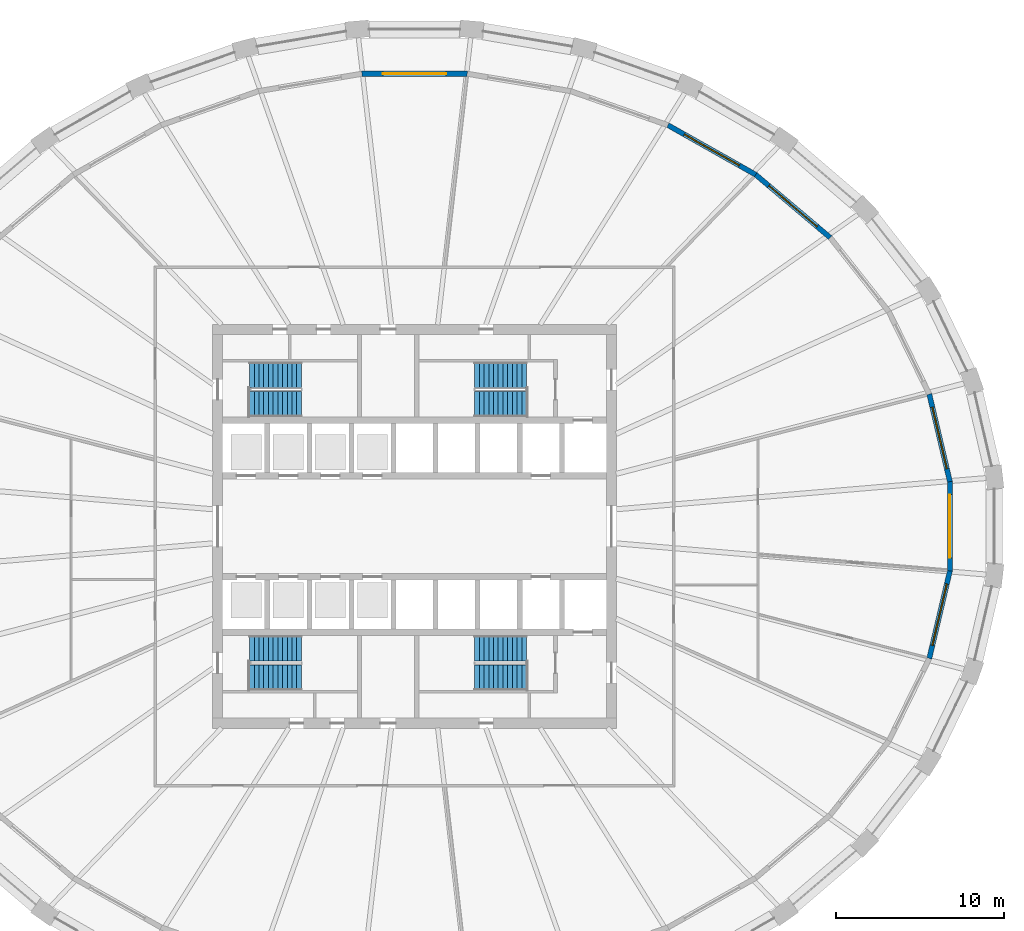
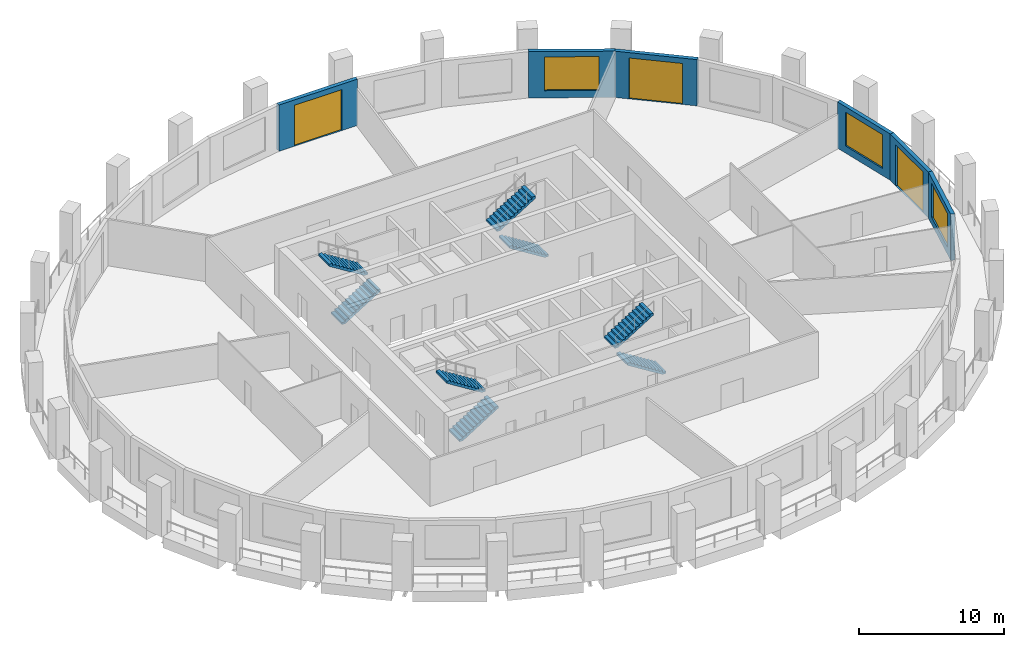
# One storey, part 7 of 10: 8 stair flights, 6 walls, 3 doors, 3 windows, 6 openings, 4 elements without a shape of their own.
"""IFC4 building model written with IfcOpenShell, lengths in metres."""

from ifc_helpers import new_model, si_unit, direction, frame, frame_2d, origin, place, context, subcontext, project, spatial, polyline, rectangle, outline, extrude, material, layer, layer_set, type_object, element, fill, aggregate, save


model = new_model("IFC4")

# Units and contexts
model_context = context("Model", 3, precision=1e-05, world=origin(), true_north=direction((0.0, 1.0)))
body_context = subcontext(model_context, "Body", "Model", "MODEL_VIEW")
ifc_project = project(units=[si_unit("LENGTHUNIT", "METRE"), si_unit("AREAUNIT", "SQUARE_METRE"), si_unit("VOLUMEUNIT", "CUBIC_METRE"), si_unit("PLANEANGLEUNIT", "RADIAN"), si_unit("MASSUNIT", "GRAM", prefix="KILO")], contexts=[model_context])

# Site, building, storey
site_placement = place(None, origin())
site = spatial("IfcSite", under=ifc_project, at=site_placement, CompositionType="ELEMENT")
building_placement = place(site_placement, origin())
building = spatial("IfcBuilding", under=site, at=building_placement, Name="Halqa Exchange Tower", CompositionType="ELEMENT")
storey_placement = place(building_placement, frame((0.0, 0.0, 129.699951171875)))
storey = spatial("IfcBuildingStorey", under=building, at=storey_placement, Name="L29", CompositionType="ELEMENT", Elevation=129.699951171875)

# Wall, opening, window
ifc_material_1 = material(Name="Limestone cladding", Category="masonry")
ifc_layer_1 = layer(ifc_material_1, 0.0400390625)
ifc_material_2 = material(Name="Ventilated cavity")
ifc_layer_2 = layer(ifc_material_2, 0.030029296875, ventilated=True)
ifc_material_3 = material(Name="Mineral wool insulation")
ifc_layer_3 = layer(ifc_material_3, 0.10009765625)
ifc_material_4 = material(Name="Concrete C30/37", Category="concrete")
ifc_layer_4 = layer(ifc_material_4, 0.10009765625)
ifc_material_5 = material(Name="Internal plaster")
ifc_layer_5 = layer(ifc_material_5, 0.030029296875)
ifc_layer_set = layer_set([ifc_layer_1, ifc_layer_2, ifc_layer_3, ifc_layer_4, ifc_layer_5], Name="Stone-faced insulated wall 300")
wall_type = type_object("IfcWallType", Name="Stone-faced insulated wall 300", PredefinedType="STANDARD", material=ifc_layer_set)
wall_1_placement = place(storey_placement, frame((31.802001953125, 2.650390625, 0.0), z_axis=(0.0, 0.0, 1.0), x_axis=(-0.229227895667, 0.973372781543, 0.0)))
wall_1 = element("IfcWall", 1, at=wall_1_placement, inside=storey, type_object=wall_type, Name="Glass-line wall 1", PredefinedType="STANDARD", context=body_context, shape_type="SweptSolid", body=[
    extrude(outline(polyline([(-0.017333984375, -0.14990234375), (5.35693359375, -0.14990234375), (5.3232421875, 0.14990234375), (0.017333984375, 0.14990234375), (-0.017333984375, -0.14990234375)])), origin(), (0.0, 0.0, 1.0), 3.900146484375),
])
opening_1_placement = place(wall_1_placement, frame((0.795166015625, 0.0, 0.60009765625)))
opening_1 = element("IfcOpeningElement", 2, at=opening_1_placement, cuts=wall_1, Name="Opening W-F2-01", PredefinedType="OPENING", context=body_context, shape_type="SweptSolid", body=[
    extrude(rectangle(XDim=3.75, YDim=2.85009765625, at=frame_2d((1.875, 1.425048828125))), frame((0.0, 0.162109375, 0.0), z_axis=(0.0, -1.0, 0.0), x_axis=(1.0, 0.0, 0.0)), (0.0, 0.0, 1.0), 0.323974609375),
])
ifc_material_6 = material(Name="Clear low-emissivity glass in aluminium frame", Category="aluminium")
window_type = type_object("IfcWindowType", Name="Fixed clear glazed window 3750 x 2850", PartitioningType="TRIPLE_PANEL_VERTICAL", PredefinedType="WINDOW", material=ifc_material_6)
window_1_placement = place(opening_1_placement, origin())
window_1 = element("IfcWindow", 3, at=window_1_placement, inside=storey, type_object=window_type, Name="Window 2", OverallHeight=2.85009765625, OverallWidth=3.75, PartitioningType="TRIPLE_PANEL_VERTICAL", PredefinedType="WINDOW", context=body_context, shape_type="SweptSolid", body=[
    extrude(rectangle(XDim=3.75, YDim=2.85009765625, at=frame_2d((1.875, 1.425048828125))), frame((0.0, 0.030029296875, 0.0), z_axis=(0.0, -1.0, 0.0), x_axis=(1.0, 0.0, 0.0)), (0.0, 0.0, 1.0), 0.06005859375),
])
fill(opening_1, window_1)

# Wall, opening, door
wall_2_placement = place(storey_placement, frame((24.694091796875, 17.145751953125, 0.0), z_axis=(0.0, 0.0, 1.0), x_axis=(-0.763963973896, 0.645258898884, 0.0)))
wall_2 = element("IfcWall", 4, at=wall_2_placement, inside=storey, type_object=wall_type, Name="Glass-line wall 4", PredefinedType="STANDARD", context=body_context, shape_type="SweptSolid", body=[
    extrude(outline(polyline([(-0.01513671875, -0.14990234375), (5.81396484375, -0.14990234375), (5.78564453125, 0.14990234375), (0.01513671875, 0.14990234375), (-0.01513671875, -0.14990234375)])), origin(), (0.0, 0.0, 1.0), 3.900146484375),
])
opening_2_placement = place(wall_2_placement, frame((1.02490234375, 0.0, 0.0)))
opening_2 = element("IfcOpeningElement", 5, at=opening_2_placement, cuts=wall_2, Name="Opening LG-F2-01", PredefinedType="OPENING", context=body_context, shape_type="SweptSolid", body=[
    extrude(rectangle(XDim=3.75, YDim=3.449951171875, at=frame_2d((1.875, 1.72509765625))), frame((0.0, 0.162109375, 0.0), z_axis=(0.0, -1.0, 0.0), x_axis=(1.0, 0.0, 0.0)), (0.0, 0.0, 1.0), 0.323974609375),
])
door_type = type_object("IfcDoorType", Name="Glazed sliding loggia door 3750 x 3450", OperationType="DOUBLE_DOOR_SLIDING", PredefinedType="DOOR", material=ifc_material_6)
door_1_placement = place(opening_2_placement, origin())
door_1 = element("IfcDoor", 6, at=door_1_placement, inside=storey, type_object=door_type, Name="Loggia door 1", OperationType="DOUBLE_DOOR_SLIDING", OverallHeight=3.449951171875, OverallWidth=3.75, PredefinedType="DOOR", context=body_context, shape_type="SweptSolid", body=[
    extrude(rectangle(XDim=3.75, YDim=3.449951171875, at=frame_2d((1.875, 1.72509765625))), frame((0.0, 0.02490234375, 0.0), z_axis=(0.0, -1.0, 0.0), x_axis=(1.0, 0.0, 0.0)), (0.0, 0.0, 1.0), 0.050048828125),
])
fill(opening_2, door_1)

# Wall, opening, window
wall_3_placement = place(storey_placement, frame((20.26318359375, 20.88818359375, 0.0), z_axis=(0.0, 0.0, 1.0), x_axis=(-0.87090857883, 0.491445060327, 0.0)))
wall_3 = element("IfcWall", 7, at=wall_3_placement, inside=storey, type_object=wall_type, Name="Glass-line wall 5", PredefinedType="STANDARD", context=body_context, shape_type="SweptSolid", body=[
    extrude(outline(polyline([(-0.01416015625, -0.14990234375), (5.99365234375, -0.14990234375), (5.966796875, 0.14990234375), (0.01416015625, 0.14990234375), (-0.01416015625, -0.14990234375)])), origin(), (0.0, 0.0, 1.0), 3.900146484375),
])
opening_3_placement = place(wall_3_placement, frame((1.114990234375, 0.0, 0.60009765625)))
opening_3 = element("IfcOpeningElement", 8, at=opening_3_placement, cuts=wall_3, Name="Opening W-F2-05", PredefinedType="OPENING", context=body_context, shape_type="SweptSolid", body=[
    extrude(rectangle(XDim=3.75, YDim=2.85009765625, at=frame_2d((1.875, 1.425048828125))), frame((0.0, 0.162109375, 0.0), z_axis=(0.0, -1.0, 0.0), x_axis=(1.0, 0.0, 0.0)), (0.0, 0.0, 1.0), 0.323974609375),
])
window_2_placement = place(opening_3_placement, origin())
window_2 = element("IfcWindow", 9, at=window_2_placement, inside=storey, type_object=window_type, Name="Window 2", OverallHeight=2.85009765625, OverallWidth=3.75, PartitioningType="TRIPLE_PANEL_VERTICAL", PredefinedType="WINDOW", context=body_context, shape_type="SweptSolid", body=[
    extrude(rectangle(XDim=3.75, YDim=2.85009765625, at=frame_2d((1.875, 1.425048828125))), frame((0.0, 0.030029296875, 0.0), z_axis=(0.0, -1.0, 0.0), x_axis=(1.0, 0.0, 0.0)), (0.0, 0.0, 1.0), 0.06005859375),
])
fill(opening_3, window_2)

# Wall, opening, door
wall_4_placement = place(storey_placement, frame((3.1298828125, 26.88232421875, 0.0), z_axis=(0.0, 0.0, 1.0), x_axis=(-1.0, 0.0, 0.0)))
wall_4 = element("IfcWall", 10, at=wall_4_placement, inside=storey, type_object=wall_type, Name="Glass-line wall 8", PredefinedType="STANDARD", context=body_context, shape_type="SweptSolid", body=[
    extrude(outline(polyline([(-0.012451171875, -0.14990234375), (6.272216796875, -0.14990234375), (6.247314453125, 0.14990234375), (0.012451171875, 0.14990234375), (-0.012451171875, -0.14990234375)])), origin(), (0.0, 0.0, 1.0), 3.900146484375),
])
opening_4_placement = place(wall_4_placement, frame((1.2548828125, 0.0, 0.0)))
opening_4 = element("IfcOpeningElement", 11, at=opening_4_placement, cuts=wall_4, Name="Opening LG-F2-02", PredefinedType="OPENING", context=body_context, shape_type="SweptSolid", body=[
    extrude(rectangle(XDim=3.75, YDim=3.449951171875, at=frame_2d((1.875, 1.72509765625))), frame((0.0, 0.162109375, 0.0), z_axis=(0.0, -1.0, 0.0), x_axis=(1.0, 0.0, 0.0)), (0.0, 0.0, 1.0), 0.323974609375),
])
door_2_placement = place(opening_4_placement, origin())
door_2 = element("IfcDoor", 12, at=door_2_placement, inside=storey, type_object=door_type, Name="Loggia door 2", OperationType="DOUBLE_DOOR_SLIDING", OverallHeight=3.449951171875, OverallWidth=3.75, PredefinedType="DOOR", context=body_context, shape_type="SweptSolid", body=[
    extrude(rectangle(XDim=3.75, YDim=3.449951171875, at=frame_2d((1.875, 1.72509765625))), frame((0.0, 0.02490234375, 0.0), z_axis=(0.0, -1.0, 0.0), x_axis=(1.0, 0.0, 0.0)), (0.0, 0.0, 1.0), 0.050048828125),
])
fill(opening_4, door_2)

# Wall, opening, window
wall_5_placement = place(storey_placement, frame((30.577880859375, -7.848388671875, 0.0), z_axis=(0.0, 0.0, 1.0), x_axis=(0.229227895667, 0.973372781543, 0.0)))
wall_5 = element("IfcWall", 13, at=wall_5_placement, inside=storey, type_object=wall_type, Name="Glass-line wall 31", PredefinedType="STANDARD", context=body_context, shape_type="SweptSolid", body=[
    extrude(outline(polyline([(-0.016845703125, -0.14990234375), (5.357421875, -0.14990234375), (5.32275390625, 0.14990234375), (0.016845703125, 0.14990234375), (-0.016845703125, -0.14990234375)])), origin(), (0.0, 0.0, 1.0), 3.900146484375),
])
opening_5_placement = place(wall_5_placement, frame((0.795166015625, 0.0, 0.60009765625)))
opening_5 = element("IfcOpeningElement", 14, at=opening_5_placement, cuts=wall_5, Name="Opening W-F2-31", PredefinedType="OPENING", context=body_context, shape_type="SweptSolid", body=[
    extrude(rectangle(XDim=3.75, YDim=2.85009765625, at=frame_2d((1.875, 1.425048828125))), frame((0.0, 0.162109375, 0.0), z_axis=(0.0, -1.0, 0.0), x_axis=(1.0, 0.0, 0.0)), (0.0, 0.0, 1.0), 0.323974609375),
])
window_3_placement = place(opening_5_placement, origin())
window_3 = element("IfcWindow", 15, at=window_3_placement, inside=storey, type_object=window_type, Name="Window 2", OverallHeight=2.85009765625, OverallWidth=3.75, PartitioningType="TRIPLE_PANEL_VERTICAL", PredefinedType="WINDOW", context=body_context, shape_type="SweptSolid", body=[
    extrude(rectangle(XDim=3.75, YDim=2.85009765625, at=frame_2d((1.875, 1.425048828125))), frame((0.0, 0.030029296875, 0.0), z_axis=(0.0, -1.0, 0.0), x_axis=(1.0, 0.0, 0.0)), (0.0, 0.0, 1.0), 0.06005859375),
])
fill(opening_5, window_3)

# Wall, opening, door
wall_6_placement = place(storey_placement, frame((31.802001953125, -2.650390625, 0.0), z_axis=(0.0, 0.0, 1.0), x_axis=(0.0, 1.0, 0.0)))
wall_6 = element("IfcWall", 16, at=wall_6_placement, inside=storey, type_object=wall_type, Name="Glass-line wall 32", PredefinedType="STANDARD", context=body_context, shape_type="SweptSolid", body=[
    extrude(outline(polyline([(-0.017333984375, -0.14990234375), (5.318115234375, -0.14990234375), (5.283447265625, 0.14990234375), (0.017333984375, 0.14990234375), (-0.017333984375, -0.14990234375)])), origin(), (0.0, 0.0, 1.0), 3.900146484375),
])
opening_6_placement = place(wall_6_placement, frame((0.775390625, 0.0, 0.0)))
opening_6 = element("IfcOpeningElement", 17, at=opening_6_placement, cuts=wall_6, Name="Opening LG-F2-08", PredefinedType="OPENING", context=body_context, shape_type="SweptSolid", body=[
    extrude(rectangle(XDim=3.75, YDim=3.449951171875, at=frame_2d((1.875, 1.72509765625))), frame((0.0, 0.162109375, 0.0), z_axis=(0.0, -1.0, 0.0), x_axis=(1.0, 0.0, 0.0)), (0.0, 0.0, 1.0), 0.323974609375),
])
door_3_placement = place(opening_6_placement, origin())
door_3 = element("IfcDoor", 18, at=door_3_placement, inside=storey, type_object=door_type, Name="Loggia door 8", OperationType="DOUBLE_DOOR_SLIDING", OverallHeight=3.449951171875, OverallWidth=3.75, PredefinedType="DOOR", context=body_context, shape_type="SweptSolid", body=[
    extrude(rectangle(XDim=3.75, YDim=3.449951171875, at=frame_2d((1.875, 1.72509765625))), frame((0.0, 0.02490234375, 0.0), z_axis=(0.0, -1.0, 0.0), x_axis=(1.0, 0.0, 0.0)), (0.0, 0.0, 1.0), 0.050048828125),
])
fill(opening_6, door_3)

# Stair, stair flights
stair_type = type_object("IfcStairType", Name="Exit stair 1500 wide", PredefinedType="HALF_TURN_STAIR", material=ifc_material_4)
stair_1_placement = place(storey_placement, origin())
stair_1 = element("IfcStair", 19, at=stair_1_placement, inside=storey, type_object=stair_type, Name="Exit stair ST1", PredefinedType="HALF_TURN_STAIR")
stair_flight_type = type_object("IfcStairFlightType", Name="Stair flight 1500 wide", PredefinedType="STRAIGHT", material=ifc_material_4)
stair_flight_1_placement = place(storey_placement, frame((-9.800048828125, 7.25, 0.0), z_axis=(0.0, 0.0, 1.0), x_axis=(1.0, 0.0, 0.0)))
stair_flight_1 = element("IfcStairFlight", 20, at=stair_flight_1_placement, type_object=stair_flight_type, Name="ST1 flight 1", NumberOfRisers=12, NumberOfTreads=11, PredefinedType="STRAIGHT", RiserHeight=0.175, TreadLength=0.28, context=body_context, shape_type="SweptSolid", body=[
    extrude(outline(polyline([(0.0, 0.0), (0.0, 0.175048828125), (0.280029296875, 0.175048828125), (0.280029296875, 0.35009765625), (0.56005859375, 0.35009765625), (0.56005859375, 0.52490234375), (0.840087890625, 0.52490234375), (0.840087890625, 0.699951171875), (1.1201171875, 0.699951171875), (1.1201171875, 0.875), (1.39990234375, 0.875), (1.39990234375, 1.050048828125), (1.679931640625, 1.050048828125), (1.679931640625, 1.22509765625), (1.9599609375, 1.22509765625), (1.9599609375, 1.39990234375), (2.239990234375, 1.39990234375), (2.239990234375, 1.574951171875), (2.52001953125, 1.574951171875), (2.52001953125, 1.75), (2.800048828125, 1.75), (2.800048828125, 1.925048828125), (3.080078125, 1.925048828125), (3.080078125, 2.10009765625), (3.080078125, 1.748291015625), (0.28271484375, 0.0), (0.0, 0.0)])), frame((0.0, 0.75, 0.0), z_axis=(0.0, -1.0, 0.0), x_axis=(1.0, 0.0, 0.0)), (0.0, 0.0, 1.0), 1.5),
])
stair_flight_2_placement = place(storey_placement, frame((-6.719970703125, 9.0, 2.10009765625), z_axis=(0.0, 0.0, 1.0), x_axis=(-1.0, 0.0, 0.0)))
stair_flight_2 = element("IfcStairFlight", 21, at=stair_flight_2_placement, type_object=stair_flight_type, Name="ST1 flight 2", NumberOfRisers=12, NumberOfTreads=11, PredefinedType="STRAIGHT", RiserHeight=0.175, TreadLength=0.28, context=body_context, shape_type="SweptSolid", body=[
    extrude(outline(polyline([(0.0, 0.0), (0.0, 0.175048828125), (0.280029296875, 0.175048828125), (0.280029296875, 0.35009765625), (0.56005859375, 0.35009765625), (0.56005859375, 0.52490234375), (0.840087890625, 0.52490234375), (0.840087890625, 0.699951171875), (1.1201171875, 0.699951171875), (1.1201171875, 0.875), (1.39990234375, 0.875), (1.39990234375, 1.050048828125), (1.679931640625, 1.050048828125), (1.679931640625, 1.22509765625), (1.9599609375, 1.22509765625), (1.9599609375, 1.39990234375), (2.239990234375, 1.39990234375), (2.239990234375, 1.574951171875), (2.52001953125, 1.574951171875), (2.52001953125, 1.75), (2.800048828125, 1.75), (2.800048828125, 1.925048828125), (3.080078125, 1.925048828125), (3.080078125, 2.10009765625), (3.080078125, 1.748291015625), (0.28271484375, 0.0), (0.0, 0.0)])), frame((0.0, 0.75, 0.0), z_axis=(0.0, -1.0, 0.0), x_axis=(1.0, 0.0, 0.0)), (0.0, 0.0, 1.0), 1.5),
])
aggregate(stair_1, [stair_flight_1, stair_flight_2])

stair_2_placement = place(storey_placement, origin())
stair_2 = element("IfcStair", 22, at=stair_2_placement, inside=storey, type_object=stair_type, Name="Exit stair ST2", PredefinedType="HALF_TURN_STAIR")
stair_flight_3_placement = place(storey_placement, frame((6.64990234375, 7.25, 0.0), z_axis=(0.0, 0.0, 1.0), x_axis=(-1.0, 0.0, 0.0)))
stair_flight_3 = element("IfcStairFlight", 23, at=stair_flight_3_placement, type_object=stair_flight_type, Name="ST2 flight 1", NumberOfRisers=12, NumberOfTreads=11, PredefinedType="STRAIGHT", RiserHeight=0.175, TreadLength=0.28, context=body_context, shape_type="SweptSolid", body=[
    extrude(outline(polyline([(0.0, 0.0), (0.0, 0.175048828125), (0.280029296875, 0.175048828125), (0.280029296875, 0.35009765625), (0.56005859375, 0.35009765625), (0.56005859375, 0.52490234375), (0.840087890625, 0.52490234375), (0.840087890625, 0.699951171875), (1.1201171875, 0.699951171875), (1.1201171875, 0.875), (1.39990234375, 0.875), (1.39990234375, 1.050048828125), (1.679931640625, 1.050048828125), (1.679931640625, 1.22509765625), (1.9599609375, 1.22509765625), (1.9599609375, 1.39990234375), (2.239990234375, 1.39990234375), (2.239990234375, 1.574951171875), (2.52001953125, 1.574951171875), (2.52001953125, 1.75), (2.800048828125, 1.75), (2.800048828125, 1.925048828125), (3.080078125, 1.925048828125), (3.080078125, 2.10009765625), (3.080078125, 1.748291015625), (0.28271484375, 0.0), (0.0, 0.0)])), frame((0.0, 0.75, 0.0), z_axis=(0.0, -1.0, 0.0), x_axis=(1.0, 0.0, 0.0)), (0.0, 0.0, 1.0), 1.5),
])
stair_flight_4_placement = place(storey_placement, frame((3.570068359375, 9.0, 2.10009765625), z_axis=(0.0, 0.0, 1.0), x_axis=(1.0, 0.0, 0.0)))
stair_flight_4 = element("IfcStairFlight", 24, at=stair_flight_4_placement, type_object=stair_flight_type, Name="ST2 flight 2", NumberOfRisers=12, NumberOfTreads=11, PredefinedType="STRAIGHT", RiserHeight=0.175, TreadLength=0.28, context=body_context, shape_type="SweptSolid", body=[
    extrude(outline(polyline([(0.0, 0.0), (0.0, 0.175048828125), (0.280029296875, 0.175048828125), (0.280029296875, 0.35009765625), (0.56005859375, 0.35009765625), (0.56005859375, 0.52490234375), (0.840087890625, 0.52490234375), (0.840087890625, 0.699951171875), (1.1201171875, 0.699951171875), (1.1201171875, 0.875), (1.39990234375, 0.875), (1.39990234375, 1.050048828125), (1.679931640625, 1.050048828125), (1.679931640625, 1.22509765625), (1.9599609375, 1.22509765625), (1.9599609375, 1.39990234375), (2.239990234375, 1.39990234375), (2.239990234375, 1.574951171875), (2.52001953125, 1.574951171875), (2.52001953125, 1.75), (2.800048828125, 1.75), (2.800048828125, 1.925048828125), (3.080078125, 1.925048828125), (3.080078125, 2.10009765625), (3.080078125, 1.748291015625), (0.28271484375, 0.0), (0.0, 0.0)])), frame((0.0, 0.75, 0.0), z_axis=(0.0, -1.0, 0.0), x_axis=(1.0, 0.0, 0.0)), (0.0, 0.0, 1.0), 1.5),
])
aggregate(stair_2, [stair_flight_3, stair_flight_4])

stair_3_placement = place(storey_placement, origin())
stair_3 = element("IfcStair", 25, at=stair_3_placement, inside=storey, type_object=stair_type, Name="Exit stair ST3", PredefinedType="HALF_TURN_STAIR")
stair_flight_5_placement = place(storey_placement, frame((-9.800048828125, -9.0, 0.0), z_axis=(0.0, 0.0, 1.0), x_axis=(1.0, 0.0, 0.0)))
stair_flight_5 = element("IfcStairFlight", 26, at=stair_flight_5_placement, type_object=stair_flight_type, Name="ST3 flight 1", NumberOfRisers=12, NumberOfTreads=11, PredefinedType="STRAIGHT", RiserHeight=0.175, TreadLength=0.28, context=body_context, shape_type="SweptSolid", body=[
    extrude(outline(polyline([(0.0, 0.0), (0.0, 0.175048828125), (0.280029296875, 0.175048828125), (0.280029296875, 0.35009765625), (0.56005859375, 0.35009765625), (0.56005859375, 0.52490234375), (0.840087890625, 0.52490234375), (0.840087890625, 0.699951171875), (1.1201171875, 0.699951171875), (1.1201171875, 0.875), (1.39990234375, 0.875), (1.39990234375, 1.050048828125), (1.679931640625, 1.050048828125), (1.679931640625, 1.22509765625), (1.9599609375, 1.22509765625), (1.9599609375, 1.39990234375), (2.239990234375, 1.39990234375), (2.239990234375, 1.574951171875), (2.52001953125, 1.574951171875), (2.52001953125, 1.75), (2.800048828125, 1.75), (2.800048828125, 1.925048828125), (3.080078125, 1.925048828125), (3.080078125, 2.10009765625), (3.080078125, 1.748291015625), (0.28271484375, 0.0), (0.0, 0.0)])), frame((0.0, 0.75, 0.0), z_axis=(0.0, -1.0, 0.0), x_axis=(1.0, 0.0, 0.0)), (0.0, 0.0, 1.0), 1.5),
])
stair_flight_6_placement = place(storey_placement, frame((-6.719970703125, -7.25, 2.10009765625), z_axis=(0.0, 0.0, 1.0), x_axis=(-1.0, 0.0, 0.0)))
stair_flight_6 = element("IfcStairFlight", 27, at=stair_flight_6_placement, type_object=stair_flight_type, Name="ST3 flight 2", NumberOfRisers=12, NumberOfTreads=11, PredefinedType="STRAIGHT", RiserHeight=0.175, TreadLength=0.28, context=body_context, shape_type="SweptSolid", body=[
    extrude(outline(polyline([(0.0, 0.0), (0.0, 0.175048828125), (0.280029296875, 0.175048828125), (0.280029296875, 0.35009765625), (0.56005859375, 0.35009765625), (0.56005859375, 0.52490234375), (0.840087890625, 0.52490234375), (0.840087890625, 0.699951171875), (1.1201171875, 0.699951171875), (1.1201171875, 0.875), (1.39990234375, 0.875), (1.39990234375, 1.050048828125), (1.679931640625, 1.050048828125), (1.679931640625, 1.22509765625), (1.9599609375, 1.22509765625), (1.9599609375, 1.39990234375), (2.239990234375, 1.39990234375), (2.239990234375, 1.574951171875), (2.52001953125, 1.574951171875), (2.52001953125, 1.75), (2.800048828125, 1.75), (2.800048828125, 1.925048828125), (3.080078125, 1.925048828125), (3.080078125, 2.10009765625), (3.080078125, 1.748291015625), (0.28271484375, 0.0), (0.0, 0.0)])), frame((0.0, 0.75, 0.0), z_axis=(0.0, -1.0, 0.0), x_axis=(1.0, 0.0, 0.0)), (0.0, 0.0, 1.0), 1.5),
])
aggregate(stair_3, [stair_flight_5, stair_flight_6])

stair_4_placement = place(storey_placement, origin())
stair_4 = element("IfcStair", 28, at=stair_4_placement, inside=storey, type_object=stair_type, Name="Exit stair ST4", PredefinedType="HALF_TURN_STAIR")
stair_flight_7_placement = place(storey_placement, frame((6.64990234375, -9.0, 0.0), z_axis=(0.0, 0.0, 1.0), x_axis=(-1.0, 0.0, 0.0)))
stair_flight_7 = element("IfcStairFlight", 29, at=stair_flight_7_placement, type_object=stair_flight_type, Name="ST4 flight 1", NumberOfRisers=12, NumberOfTreads=11, PredefinedType="STRAIGHT", RiserHeight=0.175, TreadLength=0.28, context=body_context, shape_type="SweptSolid", body=[
    extrude(outline(polyline([(0.0, 0.0), (0.0, 0.175048828125), (0.280029296875, 0.175048828125), (0.280029296875, 0.35009765625), (0.56005859375, 0.35009765625), (0.56005859375, 0.52490234375), (0.840087890625, 0.52490234375), (0.840087890625, 0.699951171875), (1.1201171875, 0.699951171875), (1.1201171875, 0.875), (1.39990234375, 0.875), (1.39990234375, 1.050048828125), (1.679931640625, 1.050048828125), (1.679931640625, 1.22509765625), (1.9599609375, 1.22509765625), (1.9599609375, 1.39990234375), (2.239990234375, 1.39990234375), (2.239990234375, 1.574951171875), (2.52001953125, 1.574951171875), (2.52001953125, 1.75), (2.800048828125, 1.75), (2.800048828125, 1.925048828125), (3.080078125, 1.925048828125), (3.080078125, 2.10009765625), (3.080078125, 1.748291015625), (0.28271484375, 0.0), (0.0, 0.0)])), frame((0.0, 0.75, 0.0), z_axis=(0.0, -1.0, 0.0), x_axis=(1.0, 0.0, 0.0)), (0.0, 0.0, 1.0), 1.5),
])
stair_flight_8_placement = place(storey_placement, frame((3.570068359375, -7.25, 2.10009765625), z_axis=(0.0, 0.0, 1.0), x_axis=(1.0, 0.0, 0.0)))
stair_flight_8 = element("IfcStairFlight", 30, at=stair_flight_8_placement, type_object=stair_flight_type, Name="ST4 flight 2", NumberOfRisers=12, NumberOfTreads=11, PredefinedType="STRAIGHT", RiserHeight=0.175, TreadLength=0.28, context=body_context, shape_type="SweptSolid", body=[
    extrude(outline(polyline([(0.0, 0.0), (0.0, 0.175048828125), (0.280029296875, 0.175048828125), (0.280029296875, 0.35009765625), (0.56005859375, 0.35009765625), (0.56005859375, 0.52490234375), (0.840087890625, 0.52490234375), (0.840087890625, 0.699951171875), (1.1201171875, 0.699951171875), (1.1201171875, 0.875), (1.39990234375, 0.875), (1.39990234375, 1.050048828125), (1.679931640625, 1.050048828125), (1.679931640625, 1.22509765625), (1.9599609375, 1.22509765625), (1.9599609375, 1.39990234375), (2.239990234375, 1.39990234375), (2.239990234375, 1.574951171875), (2.52001953125, 1.574951171875), (2.52001953125, 1.75), (2.800048828125, 1.75), (2.800048828125, 1.925048828125), (3.080078125, 1.925048828125), (3.080078125, 2.10009765625), (3.080078125, 1.748291015625), (0.28271484375, 0.0), (0.0, 0.0)])), frame((0.0, 0.75, 0.0), z_axis=(0.0, -1.0, 0.0), x_axis=(1.0, 0.0, 0.0)), (0.0, 0.0, 1.0), 1.5),
])
aggregate(stair_4, [stair_flight_7, stair_flight_8])

save(model, "model.ifc")
